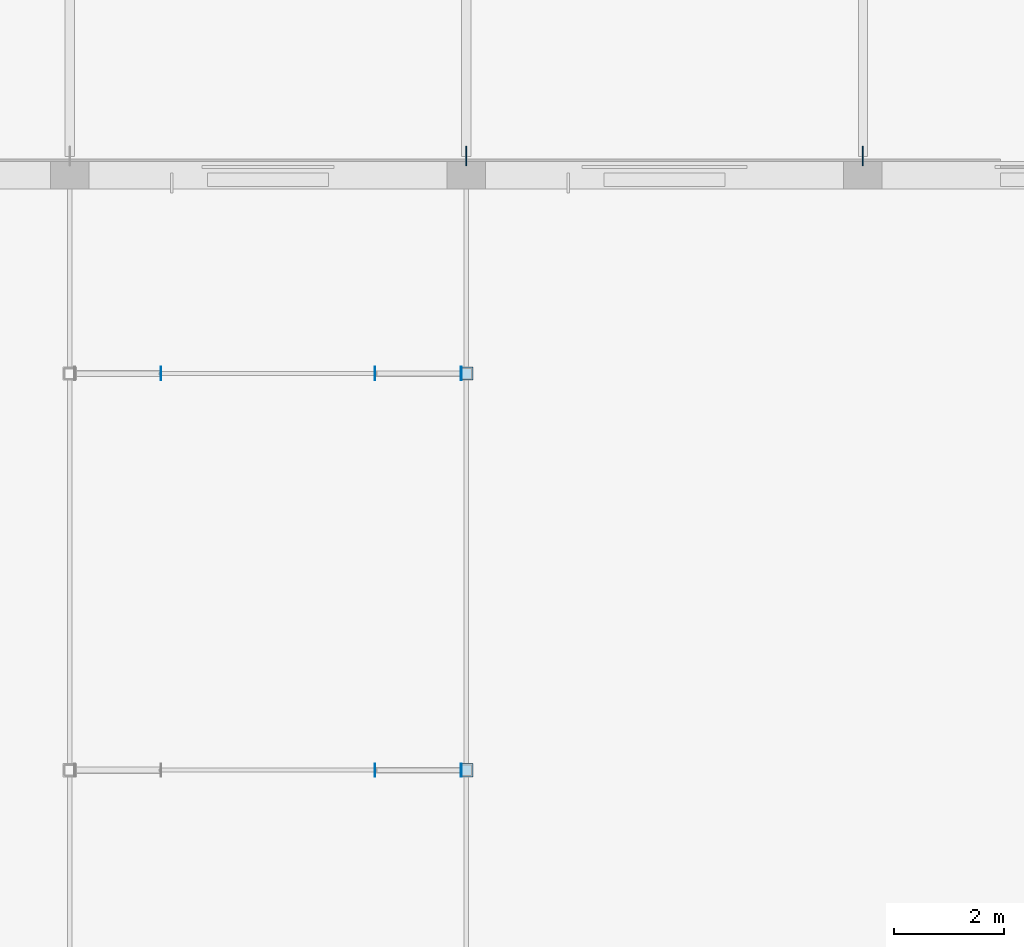
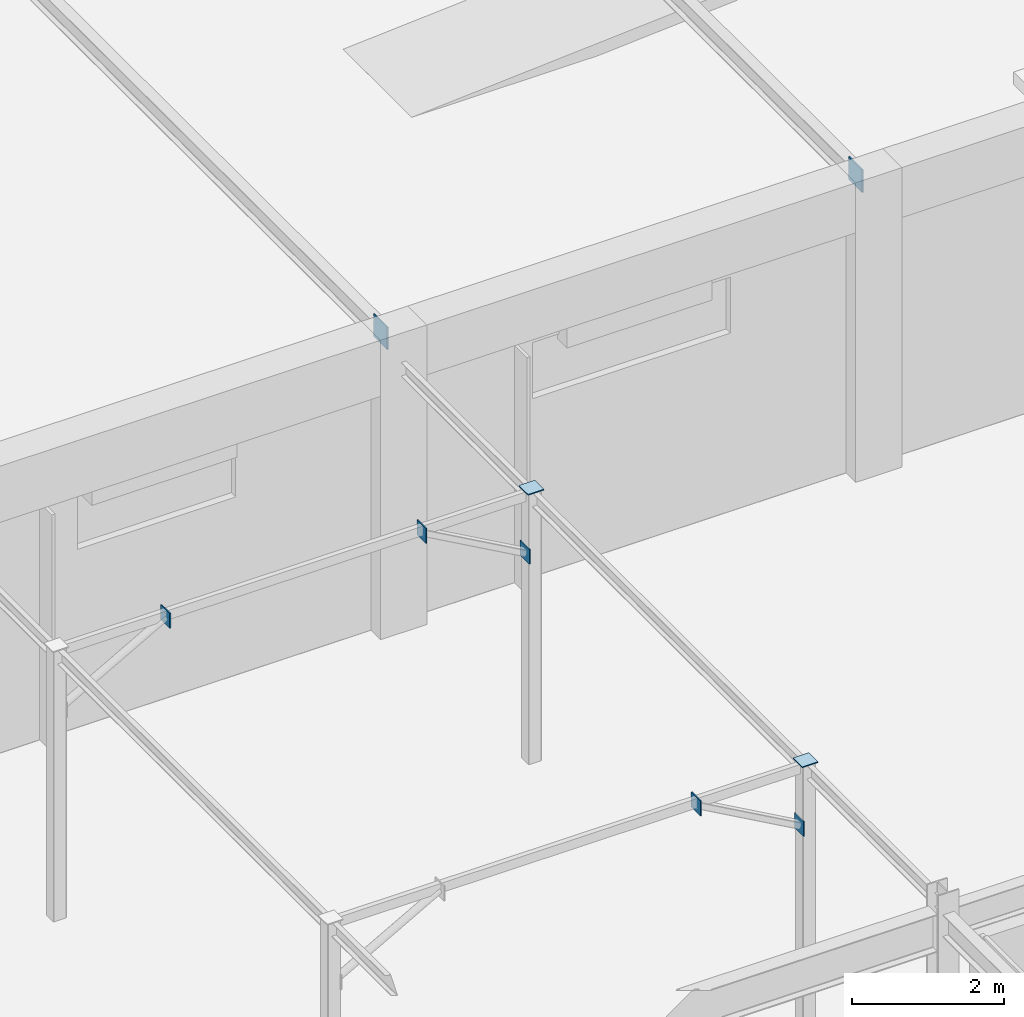
# One storey, part 50 of 85: 9 plates.
"""IFC4 building model written with IfcOpenShell, lengths in metres."""

from ifc_helpers import new_model, si_unit, direction, frame, origin, origin_2d, place, context, subcontext, project, spatial, rectangle, extrude, material, layer, layer_set, type_object, element, save


model = new_model("IFC4")

# Units and contexts
model_context = context("Model", 3, precision=1e-05, world=origin(), true_north=direction((0.0, 1.0)))
body_context = subcontext(model_context, "Body", "Model", "MODEL_VIEW")
ifc_project = project(units=[si_unit("LENGTHUNIT", "METRE"), si_unit("AREAUNIT", "SQUARE_METRE"), si_unit("VOLUMEUNIT", "CUBIC_METRE"), si_unit("PLANEANGLEUNIT", "RADIAN"), si_unit("MASSUNIT", "GRAM", prefix="KILO")], contexts=[model_context])

# Site, building, storey
site_placement = place(None, origin())
site = spatial("IfcSite", under=ifc_project, at=site_placement, CompositionType="ELEMENT")
building_placement = place(site_placement, origin())
building = spatial("IfcBuilding", under=site, at=building_placement, Name="Ochrevale Crest", CompositionType="ELEMENT")
storey_placement = place(building_placement, origin())
storey = spatial("IfcBuildingStorey", under=building, at=storey_placement, Name="L00", CompositionType="ELEMENT", Elevation=0.0)

# Plates
ifc_material = material(Name="Steel S355", Category="steel")
ifc_layer_1 = layer(ifc_material, 0.01611328125)
ifc_layer_set_1 = layer_set([ifc_layer_1], Name="Steel S355")
plate_type_1 = type_object("IfcPlateType", Name="PLT-CAP-EXT-16", PredefinedType="USERDEFINED", material=ifc_layer_set_1)
plate_1_placement = place(storey_placement, frame((86.39990234375, 32.39990234375, 4.3349609375), z_axis=(0.0, 0.0, 1.0), x_axis=(1.0, 0.0, 0.0)))
element("IfcPlate", 1, at=plate_1_placement, inside=storey, type_object=plate_type_1, Name="Covered public passage colonnade post welded end cap plate CE", ObjectType="CAP PLATE", PredefinedType="USERDEFINED", context=body_context, shape_type="SweptSolid", body=[
    extrude(rectangle(XDim=0.239990234375, YDim=0.239990234375, at=origin_2d()), origin(), (0.0, 0.0, 1.0), 0.01611328125),
])
for number, where, z_axis, x_axis, name in (
    (2, (86.306884765625, 32.39990234375, 3.22607421875), (0.0, 0.0, 1.0), (-1.0, 0.0, 0.0), "Public passage arch strut E welded end cap plate CS"),
    (3, (84.742919921875, 32.39990234375, 4.10400390625), (0.0, 0.0, 1.0), (-1.0, 0.0, 0.0), "Public passage arch strut E welded end cap plate CE"),
):
    element("IfcPlate", number, at=place(storey_placement, frame(where, z_axis=z_axis, x_axis=x_axis)), inside=storey, type_object=plate_type_1, Name=name, ObjectType="CAP PLATE", PredefinedType="USERDEFINED", context=body_context, shape_type="SweptSolid", body=[
        extrude(rectangle(XDim=0.01611328125, YDim=0.239990234375, at=origin_2d()), origin(), (0.0, 0.0, 1.0), 0.239990234375),
    ])
plate_2_placement = place(storey_placement, frame((86.39990234375, 39.60009765625, 4.3349609375), z_axis=(0.0, 0.0, 1.0), x_axis=(1.0, 0.0, 0.0)))
element("IfcPlate", 4, at=plate_2_placement, inside=storey, type_object=plate_type_1, Name="Covered public passage colonnade post welded end cap plate CE", ObjectType="CAP PLATE", PredefinedType="USERDEFINED", context=body_context, shape_type="SweptSolid", body=[
    extrude(rectangle(XDim=0.239990234375, YDim=0.239990234375, at=origin_2d()), origin(), (0.0, 0.0, 1.0), 0.01611328125),
])
for number, where, z_axis, x_axis, name in (
    (5, (80.85693359375, 39.60009765625, 4.10400390625), (0.0, 0.0, 1.0), (1.0, 0.0, 0.0), "Public passage arch strut W welded end cap plate CE"),
    (6, (86.306884765625, 39.60009765625, 3.22607421875), (0.0, 0.0, 1.0), (-1.0, 0.0, 0.0), "Public passage arch strut E welded end cap plate CS"),
    (7, (84.742919921875, 39.60009765625, 4.10400390625), (0.0, 0.0, 1.0), (-1.0, 0.0, 0.0), "Public passage arch strut E welded end cap plate CE"),
):
    element("IfcPlate", number, at=place(storey_placement, frame(where, z_axis=z_axis, x_axis=x_axis)), inside=storey, type_object=plate_type_1, Name=name, ObjectType="CAP PLATE", PredefinedType="USERDEFINED", context=body_context, shape_type="SweptSolid", body=[
        extrude(rectangle(XDim=0.01611328125, YDim=0.239990234375, at=origin_2d()), origin(), (0.0, 0.0, 1.0), 0.239990234375),
    ])
ifc_layer_2 = layer(ifc_material, 0.02001953125)
ifc_layer_set_2 = layer_set([ifc_layer_2], Name="Steel S355")
plate_type_2 = type_object("IfcPlateType", Name="PLT-GUSSET-20", PredefinedType="USERDEFINED", material=ifc_layer_set_2)
for number, where, z_axis, x_axis, name in (
    (8, (86.39990234375, 43.550048828125, 4.27001953125), (0.0, 0.0, 1.0), (1.0, 0.0, 0.0), "Vault tie-beam springing gusset plate 5-S"),
    (9, (93.60009765625, 43.550048828125, 4.27001953125), (0.0, 0.0, 1.0), (1.0, 0.0, 0.0), "Vault tie-beam springing gusset plate 6-S"),
):
    element("IfcPlate", number, at=place(storey_placement, frame(where, z_axis=z_axis, x_axis=x_axis)), inside=storey, type_object=plate_type_2, Name=name, ObjectType="GUSSET PLATE", PredefinedType="USERDEFINED", context=body_context, shape_type="SweptSolid", body=[
        extrude(rectangle(XDim=0.02001953125, YDim=0.360107421875, at=origin_2d()), origin(), (0.0, 0.0, 1.0), 0.360107421875),
    ])

save(model, "model.ifc")
